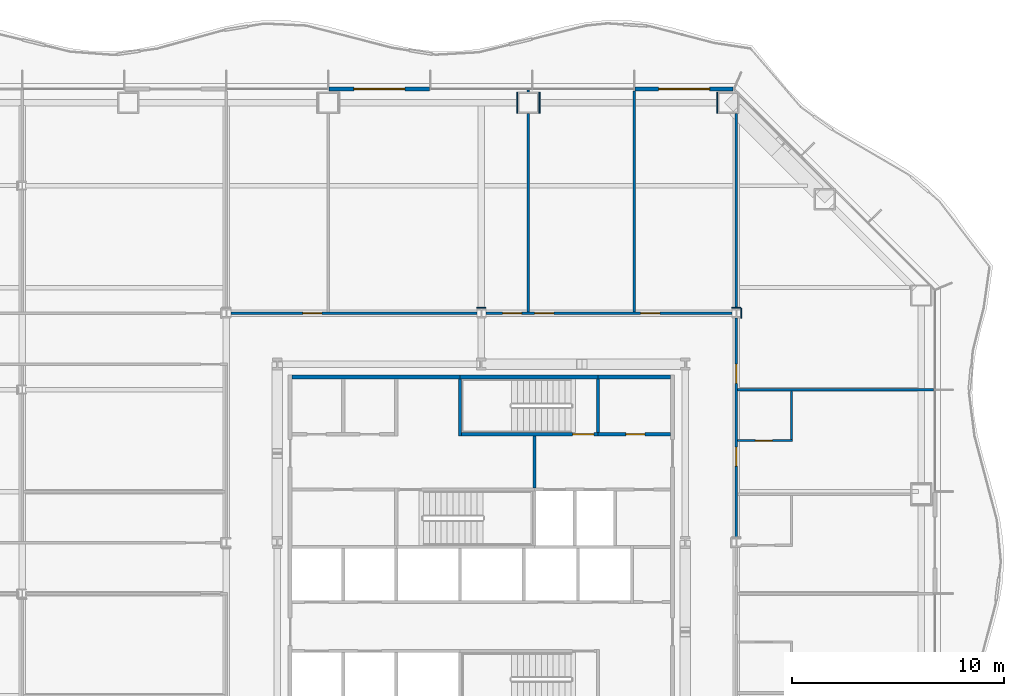
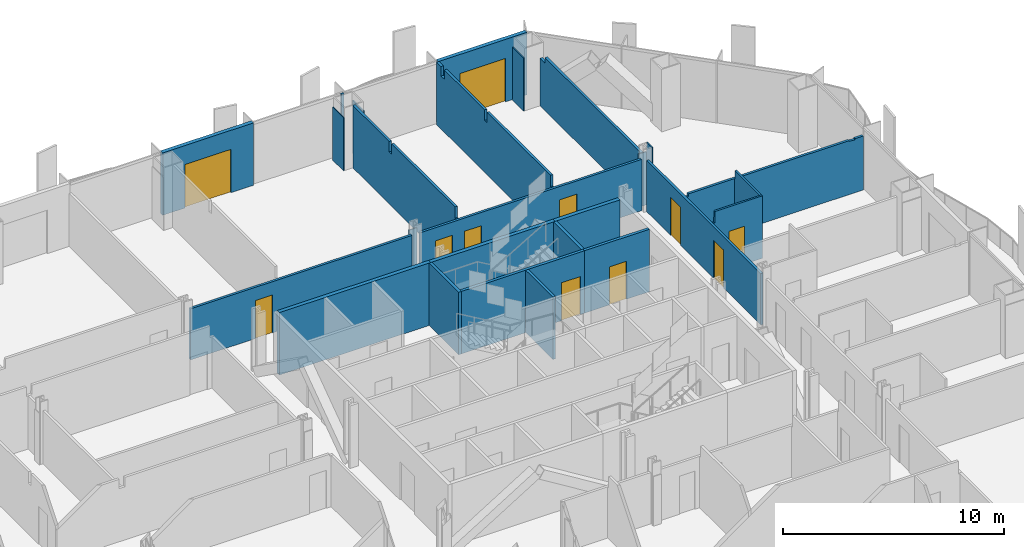
# One storey, part 13 of 21: 26 walls, 11 doors, 11 openings.
"""IFC4 building model written with IfcOpenShell, lengths in metres."""

from ifc_helpers import new_model, si_unit, direction, frame, frame_2d, origin, place, context, subcontext, project, spatial, polyline, rectangle, outline, extrude, material, layer, layer_set, type_object, element, fill, save


model = new_model("IFC4")

# Units and contexts
model_context = context("Model", 3, precision=1e-05, world=origin(), true_north=direction((0.0, 1.0)))
body_context = subcontext(model_context, "Body", "Model", "MODEL_VIEW")
ifc_project = project(units=[si_unit("LENGTHUNIT", "METRE"), si_unit("AREAUNIT", "SQUARE_METRE"), si_unit("VOLUMEUNIT", "CUBIC_METRE"), si_unit("PLANEANGLEUNIT", "RADIAN"), si_unit("MASSUNIT", "GRAM", prefix="KILO")], contexts=[model_context])

# Site, building, storey
site_placement = place(None, origin())
site = spatial("IfcSite", under=ifc_project, at=site_placement, CompositionType="ELEMENT")
building_placement = place(site_placement, origin())
building = spatial("IfcBuilding", under=site, at=building_placement, Name="Cairn Pilgrim Tower", CompositionType="ELEMENT")
storey_placement = place(building_placement, frame((0.0, 0.0, 43.800048828125)))
storey = spatial("IfcBuildingStorey", under=building, at=storey_placement, Name="L08", CompositionType="ELEMENT", Elevation=43.800048828125)

# Wall, opening, door
ifc_material_1 = material(Name="Bronze anodised aluminium insulated sandwich panel with mineral wool fill", Category="aluminium")
ifc_layer_1 = layer(ifc_material_1, 0.199951171875)
ifc_layer_set_1 = layer_set([ifc_layer_1], Name="BRONZE INFILL FRAME WALL 200")
wall_type_1 = type_object("IfcWallType", Name="BRONZE INFILL FRAME WALL 200", PredefinedType="NOTDEFINED", material=ifc_layer_set_1)
wall_1_placement = place(storey_placement, frame((19.056396484375, 23.75, 0.0), z_axis=(0.0, 0.0, 1.0), x_axis=(-1.0, 0.0, 0.0)))
wall_1 = element("IfcWall", 1, at=wall_1_placement, inside=storey, type_object=wall_type_1, Name="Bronze infill frame wall IW-N1", PredefinedType="NOTDEFINED", context=body_context, shape_type="SweptSolid", body=[
    extrude(rectangle(XDim=4.62646484375, YDim=0.199951171875, at=frame_2d((2.313232421875, 0.0))), origin(), (0.0, 0.0, 1.0), 3.449951171875),
])
opening_1_placement = place(wall_1_placement, frame((1.108154296875, 0.0, 0.0)))
opening_1 = element("IfcOpeningElement", 2, at=opening_1_placement, cuts=wall_1, Name="Opening 0820B", PredefinedType="OPENING", context=body_context, shape_type="SweptSolid", body=[
    extrude(rectangle(XDim=2.39990234375, YDim=2.39990234375, at=frame_2d((1.199951171875, 1.199951171875))), frame((0.0, 0.10986328125, 0.0), z_axis=(0.0, -1.0, 0.0), x_axis=(1.0, 0.0, 0.0)), (0.0, 0.0, 1.0), 0.219970703125),
])
ifc_material_2 = material(Name="Bronze anodised aluminium frame with tinted low-E glass", Category="aluminium")
door_type_1 = type_object("IfcDoorType", Name="BALCONY SLIDING DOOR 2400x2400", OperationType="DOUBLE_DOOR_SLIDING", PredefinedType="DOOR", material=ifc_material_2)
door_1_placement = place(opening_1_placement, origin())
door_1 = element("IfcDoor", 3, at=door_1_placement, inside=storey, type_object=door_type_1, Name="Balcony sliding door 0820B", OperationType="SINGLE_SWING_LEFT", OverallHeight=2.39990234375, OverallWidth=2.39990234375, PredefinedType="DOOR", context=body_context, shape_type="SweptSolid", body=[
    extrude(rectangle(XDim=2.39990234375, YDim=2.39990234375, at=frame_2d((1.199951171875, 1.199951171875))), frame((0.0, 0.02490234375, 0.0), z_axis=(0.0, -1.0, 0.0), x_axis=(1.0, 0.0, 0.0)), (0.0, 0.0, 1.0), 0.050048828125),
])
fill(opening_1, door_1)

wall_2_placement = place(storey_placement, frame((4.77001953125, 23.75, 0.0), z_axis=(0.0, 0.0, 1.0), x_axis=(-1.0, 0.0, 0.0)))
wall_2 = element("IfcWall", 4, at=wall_2_placement, inside=storey, type_object=wall_type_1, Name="Bronze infill frame wall IW-N4", PredefinedType="NOTDEFINED", context=body_context, shape_type="SweptSolid", body=[
    extrude(rectangle(XDim=4.739990234375, YDim=0.199951171875, at=frame_2d((2.3701171875, 0.0))), origin(), (0.0, 0.0, 1.0), 3.449951171875),
])
opening_2_placement = place(wall_2_placement, frame((1.169921875, 0.0, 0.0)))
opening_2 = element("IfcOpeningElement", 5, at=opening_2_placement, cuts=wall_2, Name="Opening 0818B", PredefinedType="OPENING", context=body_context, shape_type="SweptSolid", body=[
    extrude(rectangle(XDim=2.39990234375, YDim=2.39990234375, at=frame_2d((1.199951171875, 1.199951171875))), frame((0.0, 0.10986328125, 0.0), z_axis=(0.0, -1.0, 0.0), x_axis=(1.0, 0.0, 0.0)), (0.0, 0.0, 1.0), 0.219970703125),
])
door_2_placement = place(opening_2_placement, origin())
door_2 = element("IfcDoor", 6, at=door_2_placement, inside=storey, type_object=door_type_1, Name="Balcony sliding door 0818B", OperationType="SINGLE_SWING_LEFT", OverallHeight=2.39990234375, OverallWidth=2.39990234375, PredefinedType="DOOR", context=body_context, shape_type="SweptSolid", body=[
    extrude(rectangle(XDim=2.39990234375, YDim=2.39990234375, at=frame_2d((1.199951171875, 1.199951171875))), frame((0.0, 0.02490234375, 0.0), z_axis=(0.0, -1.0, 0.0), x_axis=(1.0, 0.0, 0.0)), (0.0, 0.0, 1.0), 0.050048828125),
])
fill(opening_2, door_2)

# Walls
ifc_material_3 = material(Name="Concrete C32/40", Category="concrete")
ifc_layer_2 = layer(ifc_material_3, 0.199951171875)
ifc_layer_set_2 = layer_set([ifc_layer_2], Name="CORE OUTER WALL 200 EI 120")
wall_type_2 = type_object("IfcWallType", Name="CORE OUTER WALL 200 EI 120", PredefinedType="SOLIDWALL", material=ifc_layer_set_2)
wall_3_placement = place(storey_placement, frame((-1.699951171875, 10.199951171875, 0.0), z_axis=(0.0, 0.0, 1.0), x_axis=(1.0, 0.0, 0.0)))
element("IfcWall", 7, at=wall_3_placement, inside=storey, type_object=wall_type_2, Name="CW:L08:H11-1", PredefinedType="SOLIDWALL", context=body_context, shape_type="SweptSolid", body=[
    extrude(rectangle(XDim=7.89990234375, YDim=0.199951171875, at=frame_2d((3.949951171875, 0.0))), origin(), (0.0, 0.0, 1.0), 3.449951171875),
])
wall_4_placement = place(storey_placement, frame((12.699951171875, 10.199951171875, 0.0), z_axis=(0.0, 0.0, 1.0), x_axis=(1.0, 0.0, 0.0)))
element("IfcWall", 8, at=wall_4_placement, inside=storey, type_object=wall_type_2, Name="CW:L08:H11-3", PredefinedType="SOLIDWALL", context=body_context, shape_type="SweptSolid", body=[
    extrude(rectangle(XDim=3.400146484375, YDim=0.199951171875, at=frame_2d((1.7001953125, 0.0))), origin(), (0.0, 0.0, 1.0), 3.449951171875),
])

# Wall, opening, door
ifc_layer_3 = layer(ifc_material_3, 0.14990234375)
ifc_layer_set_3 = layer_set([ifc_layer_3], Name="CORE SHAFT WALL 150 EI 120")
wall_type_3 = type_object("IfcWallType", Name="CORE SHAFT WALL 150 EI 120", PredefinedType="SOLIDWALL", material=ifc_layer_set_3)
wall_5_placement = place(storey_placement, frame((12.699951171875, 7.5, 0.0), z_axis=(0.0, 0.0, 1.0), x_axis=(1.0, 0.0, 0.0)))
wall_5 = element("IfcWall", 9, at=wall_5_placement, inside=storey, type_object=wall_type_3, Name="CW:L08:H10-2", PredefinedType="SOLIDWALL", context=body_context, shape_type="SweptSolid", body=[
    extrude(rectangle(XDim=3.400146484375, YDim=0.14990234375, at=frame_2d((1.7001953125, 0.0))), origin(), (0.0, 0.0, 1.0), 3.449951171875),
])
opening_3_placement = place(wall_5_placement, frame((1.300048828125, 0.0, 0.0)))
opening_3 = element("IfcOpeningElement", 10, at=opening_3_placement, cuts=wall_5, Name="Opening RD-R4E", PredefinedType="OPENING", context=body_context, shape_type="SweptSolid", body=[
    extrude(rectangle(XDim=0.89990234375, YDim=2.10009765625, at=frame_2d((0.449951171875, 1.050048828125))), frame((0.0, 0.0849609375, 0.0), z_axis=(0.0, -1.0, 0.0), x_axis=(1.0, 0.0, 0.0)), (0.0, 0.0, 1.0), 0.169921875),
])
ifc_material_4 = material(Name="Painted steel", Category="steel")
door_type_2 = type_object("IfcDoorType", Name="SERVICE ROOM DOOR 900x2100", OperationType="SINGLE_SWING_LEFT", PredefinedType="DOOR", material=ifc_material_4)
door_3_placement = place(opening_3_placement, origin())
door_3 = element("IfcDoor", 11, at=door_3_placement, inside=storey, type_object=door_type_2, Name="RD-R4E", OperationType="SINGLE_SWING_RIGHT", OverallHeight=2.10009765625, OverallWidth=0.89990234375, PredefinedType="DOOR", context=body_context, shape_type="SweptSolid", body=[
    extrude(rectangle(XDim=0.89990234375, YDim=2.10009765625, at=frame_2d((0.449951171875, 1.050048828125))), frame((0.0, 0.02490234375, 0.0), z_axis=(0.0, -1.0, 0.0), x_axis=(1.0, 0.0, 0.0)), (0.0, 0.0, 1.0), 0.050048828125),
])
fill(opening_3, door_3)

# Wall
wall_6_placement = place(storey_placement, frame((9.699951171875, 4.97509765625, 0.0), z_axis=(0.0, 0.0, 1.0), x_axis=(0.0, 1.0, 0.0)))
element("IfcWall", 12, at=wall_6_placement, inside=storey, type_object=wall_type_3, Name="CW:L08:V25", PredefinedType="SOLIDWALL", context=body_context, shape_type="SweptSolid", body=[
    extrude(rectangle(XDim=2.449951171875, YDim=0.14990234375, at=frame_2d((1.22509765625, 0.0))), origin(), (0.0, 0.0, 1.0), 3.449951171875),
])

# Wall, opening, door
ifc_material_5 = material(Name="Gypsum partition")
ifc_layer_4 = layer(ifc_material_5, 0.10009765625)
ifc_layer_set_4 = layer_set([ifc_layer_4], Name="PARTITION 100 DRYWALL")
wall_type_4 = type_object("IfcWallType", Name="PARTITION 100 DRYWALL", PredefinedType="PARTITIONING", material=ifc_layer_set_4)
wall_7_placement = place(storey_placement, frame((19.262451171875, 7.199951171875, 0.0), z_axis=(0.0, 0.0, 1.0), x_axis=(1.0, 0.0, 0.0)))
wall_7 = element("IfcWall", 13, at=wall_7_placement, inside=storey, type_object=wall_type_4, Name="PARTITION W069", PredefinedType="PARTITIONING", context=body_context, shape_type="SweptSolid", body=[
    extrude(outline(polyline([(0.0, 0.0), (2.587646484375, 0.0), (2.58740234375, 3.449951171875), (0.08740234375, 3.449951171875), (0.08544921875, 2.829833984375), (0.0, 2.829833984375), (0.0, 0.0)])), frame((0.0, 0.050048828125, 0.0), z_axis=(0.0, -1.0, 0.0), x_axis=(1.0, 0.0, 0.0)), (0.0, 0.0, 1.0), 0.10009765625),
])
opening_4_placement = place(wall_7_placement, frame((0.83740234375, 0.0, 0.0)))
opening_4 = element("IfcOpeningElement", 14, at=opening_4_placement, cuts=wall_7, Name="Opening 0825E", PredefinedType="OPENING", context=body_context, shape_type="SweptSolid", body=[
    extrude(rectangle(XDim=0.800048828125, YDim=2.10009765625, at=frame_2d((0.39990234375, 1.050048828125))), frame((0.0, 0.06005859375, 0.0), z_axis=(0.0, -1.0, 0.0), x_axis=(1.0, 0.0, 0.0)), (0.0, 0.0, 1.0), 0.1201171875),
])
ifc_material_6 = material(Name="Timber door leaf", Category="wood")
door_type_3 = type_object("IfcDoorType", Name="DOOR 800x2100", OperationType="NOTDEFINED", PredefinedType="DOOR", material=ifc_material_6)
door_4_placement = place(opening_4_placement, origin())
door_4 = element("IfcDoor", 15, at=door_4_placement, inside=storey, type_object=door_type_3, Name="DOOR 0825E", OperationType="SINGLE_SWING_RIGHT", OverallHeight=2.10009765625, OverallWidth=0.800048828125, PredefinedType="DOOR", context=body_context, shape_type="SweptSolid", body=[
    extrude(rectangle(XDim=0.800048828125, YDim=2.10009765625, at=frame_2d((0.39990234375, 1.050048828125))), frame((0.0, 0.02490234375, 0.0), z_axis=(0.0, -1.0, 0.0), x_axis=(1.0, 0.0, 0.0)), (0.0, 0.0, 1.0), 0.050048828125),
])
fill(opening_4, door_4)

# Wall
wall_8_placement = place(storey_placement, frame((21.800048828125, 7.25, 0.0), z_axis=(0.0, 0.0, 1.0), x_axis=(0.0, 1.0, 0.0)))
element("IfcWall", 16, at=wall_8_placement, inside=storey, type_object=wall_type_4, Name="PARTITION W070", PredefinedType="PARTITIONING", context=body_context, shape_type="SweptSolid", body=[
    extrude(outline(polyline([(0.0, 0.0), (2.28759765625, 0.0), (2.28759765625, 2.97998046875), (2.2548828125, 2.97998046875), (2.2529296875, 3.449951171875), (0.0, 3.449951171875), (0.0, 0.0)])), frame((0.0, 0.050048828125, 0.0), z_axis=(0.0, -1.0, 0.0), x_axis=(1.0, 0.0, 0.0)), (0.0, 0.0, 1.0), 0.10009765625),
])

# Wall, openings, doors
ifc_layer_5 = layer(ifc_material_5, 0.125)
ifc_layer_set_5 = layer_set([ifc_layer_5], Name="PARTITION 125 DRYWALL EI 60")
wall_type_5 = type_object("IfcWallType", Name="PARTITION 125 DRYWALL EI 60", PredefinedType="PARTITIONING", material=ifc_layer_set_5)
wall_9_placement = place(storey_placement, frame((19.199951171875, 2.636962890625, 0.0), z_axis=(0.0, 0.0, 1.0), x_axis=(0.0, 1.0, 0.0)))
wall_9 = element("IfcWall", 17, at=wall_9_placement, inside=storey, type_object=wall_type_5, Name="PARTITION W063", PredefinedType="PARTITIONING", context=body_context, shape_type="SweptSolid", body=[
    extrude(rectangle(XDim=10.325927734375, YDim=0.125, at=frame_2d((5.1630859375, 0.0))), origin(), (0.0, 0.0, 1.0), 2.829833984375),
])
opening_5_placement = place(wall_9_placement, frame((3.363037109375, 0.0, 0.0)))
opening_5 = element("IfcOpeningElement", 18, at=opening_5_placement, cuts=wall_9, Name="Opening 0825", PredefinedType="OPENING", context=body_context, shape_type="SweptSolid", body=[
    extrude(rectangle(XDim=0.89990234375, YDim=2.10009765625, at=frame_2d((0.449951171875, 1.050048828125))), frame((0.0, 0.072509765625, 0.0), z_axis=(0.0, -1.0, 0.0), x_axis=(1.0, 0.0, 0.0)), (0.0, 0.0, 1.0), 0.14501953125),
])
opening_6_placement = place(wall_9_placement, frame((7.262939453125, 0.0, 0.0)))
opening_6 = element("IfcOpeningElement", 19, at=opening_6_placement, cuts=wall_9, Name="Opening 0826", PredefinedType="OPENING", context=body_context, shape_type="SweptSolid", body=[
    extrude(rectangle(XDim=0.89990234375, YDim=2.10009765625, at=frame_2d((0.449951171875, 1.050048828125))), frame((0.0, 0.072509765625, 0.0), z_axis=(0.0, -1.0, 0.0), x_axis=(1.0, 0.0, 0.0)), (0.0, 0.0, 1.0), 0.14501953125),
])
ifc_material_7 = material(Name="Steel-faced fire door leaf", Category="steel")
door_type_4 = type_object("IfcDoorType", Name="FIRE DOOR 900x2100 FD30S", OperationType="NOTDEFINED", PredefinedType="DOOR", material=ifc_material_7)
door_5_placement = place(opening_5_placement, frame((0.89990234375, 0.0, 0.0), z_axis=(0.0, 0.0, 1.0), x_axis=(-1.0, 0.0, 0.0)))
door_5 = element("IfcDoor", 20, at=door_5_placement, inside=storey, type_object=door_type_4, Name="DOOR 0825", OperationType="SINGLE_SWING_LEFT", OverallHeight=2.10009765625, OverallWidth=0.89990234375, PredefinedType="DOOR", context=body_context, shape_type="SweptSolid", body=[
    extrude(rectangle(XDim=0.89990234375, YDim=2.10009765625, at=frame_2d((0.449951171875, 1.050048828125))), frame((0.0, 0.02490234375, 0.0), z_axis=(0.0, -1.0, 0.0), x_axis=(1.0, 0.0, 0.0)), (0.0, 0.0, 1.0), 0.050048828125),
])
fill(opening_5, door_5)
door_6_placement = place(opening_6_placement, frame((0.89990234375, 0.0, 0.0), z_axis=(0.0, 0.0, 1.0), x_axis=(-1.0, 0.0, 0.0)))
door_6 = element("IfcDoor", 21, at=door_6_placement, inside=storey, type_object=door_type_4, Name="DOOR 0826", OperationType="SINGLE_SWING_LEFT", OverallHeight=2.10009765625, OverallWidth=0.89990234375, PredefinedType="DOOR", context=body_context, shape_type="SweptSolid", body=[
    extrude(rectangle(XDim=0.89990234375, YDim=2.10009765625, at=frame_2d((0.449951171875, 1.050048828125))), frame((0.0, 0.02490234375, 0.0), z_axis=(0.0, -1.0, 0.0), x_axis=(1.0, 0.0, 0.0)), (0.0, 0.0, 1.0), 0.050048828125),
])
fill(opening_6, door_6)

# Wall
wall_10_placement = place(storey_placement, frame((19.262451171875, 9.60009765625, 0.0), z_axis=(0.0, 0.0, 1.0), x_axis=(1.0, 0.0, 0.0)))
element("IfcWall", 22, at=wall_10_placement, inside=storey, type_object=wall_type_5, Name="PARTITION W072", PredefinedType="PARTITIONING", context=body_context, shape_type="SweptSolid", body=[
    extrude(outline(polyline([(0.0, 0.0), (9.2275390625, 0.0), (9.2275390625, 2.97998046875), (8.78759765625, 2.97998046875), (8.785400390625, 2.929931640625), (8.487548828125, 2.929931640625), (8.485595703125, 2.97998046875), (0.08740234375, 2.97998046875), (0.08544921875, 2.829833984375), (0.0, 2.829833984375), (0.0, 0.0)])), frame((0.0, 0.0625, 0.0), z_axis=(0.0, -1.0, 0.0), x_axis=(1.0, 0.0, 0.0)), (0.0, 0.0, 1.0), 0.125),
])

# Wall, opening, door
wall_11_placement = place(storey_placement, frame((-4.587890625, 13.199951171875, 0.0), z_axis=(0.0, 0.0, 1.0), x_axis=(1.0, 0.0, 0.0)))
wall_11 = element("IfcWall", 23, at=wall_11_placement, inside=storey, type_object=wall_type_5, Name="PARTITION W076", PredefinedType="PARTITIONING", context=body_context, shape_type="SweptSolid", body=[
    extrude(rectangle(XDim=11.575927734375, YDim=0.125, at=frame_2d((5.7880859375, 0.0))), origin(), (0.0, 0.0, 1.0), 2.829833984375),
])
opening_7_placement = place(wall_11_placement, frame((3.387939453125, 0.0, 0.0)))
opening_7 = element("IfcOpeningElement", 24, at=opening_7_placement, cuts=wall_11, Name="Opening 0817", PredefinedType="OPENING", context=body_context, shape_type="SweptSolid", body=[
    extrude(rectangle(XDim=0.89990234375, YDim=2.10009765625, at=frame_2d((0.449951171875, 1.050048828125))), frame((0.0, 0.072509765625, 0.0), z_axis=(0.0, -1.0, 0.0), x_axis=(1.0, 0.0, 0.0)), (0.0, 0.0, 1.0), 0.14501953125),
])
door_7_placement = place(opening_7_placement, origin())
door_7 = element("IfcDoor", 25, at=door_7_placement, inside=storey, type_object=door_type_4, Name="DOOR 0817", OperationType="SINGLE_SWING_RIGHT", OverallHeight=2.10009765625, OverallWidth=0.89990234375, PredefinedType="DOOR", context=body_context, shape_type="SweptSolid", body=[
    extrude(rectangle(XDim=0.89990234375, YDim=2.10009765625, at=frame_2d((0.449951171875, 1.050048828125))), frame((0.0, 0.02490234375, 0.0), z_axis=(0.0, -1.0, 0.0), x_axis=(1.0, 0.0, 0.0)), (0.0, 0.0, 1.0), 0.050048828125),
])
fill(opening_7, door_7)

# Wall, openings, doors
wall_12_placement = place(storey_placement, frame((7.412109375, 13.199951171875, 0.0), z_axis=(0.0, 0.0, 1.0), x_axis=(1.0, 0.0, 0.0)))
wall_12 = element("IfcWall", 26, at=wall_12_placement, inside=storey, type_object=wall_type_5, Name="PARTITION W077", PredefinedType="PARTITIONING", context=body_context, shape_type="SweptSolid", body=[
    extrude(rectangle(XDim=11.575927734375, YDim=0.125, at=frame_2d((5.7880859375, 0.0))), origin(), (0.0, 0.0, 1.0), 2.829833984375),
])
opening_8_placement = place(wall_12_placement, frame((0.7880859375, 0.0, 0.0)))
opening_8 = element("IfcOpeningElement", 27, at=opening_8_placement, cuts=wall_12, Name="Opening 0818", PredefinedType="OPENING", context=body_context, shape_type="SweptSolid", body=[
    extrude(rectangle(XDim=0.89990234375, YDim=2.10009765625, at=frame_2d((0.449951171875, 1.050048828125))), frame((0.0, 0.072509765625, 0.0), z_axis=(0.0, -1.0, 0.0), x_axis=(1.0, 0.0, 0.0)), (0.0, 0.0, 1.0), 0.14501953125),
])
opening_9_placement = place(wall_12_placement, frame((2.302001953125, 0.0, 0.0)))
opening_9 = element("IfcOpeningElement", 28, at=opening_9_placement, cuts=wall_12, Name="Opening 0819", PredefinedType="OPENING", context=body_context, shape_type="SweptSolid", body=[
    extrude(rectangle(XDim=0.89990234375, YDim=2.10009765625, at=frame_2d((0.449951171875, 1.050048828125))), frame((0.0, 0.072509765625, 0.0), z_axis=(0.0, -1.0, 0.0), x_axis=(1.0, 0.0, 0.0)), (0.0, 0.0, 1.0), 0.14501953125),
])
opening_10_placement = place(wall_12_placement, frame((7.2880859375, 0.0, 0.0)))
opening_10 = element("IfcOpeningElement", 29, at=opening_10_placement, cuts=wall_12, Name="Opening 0820", PredefinedType="OPENING", context=body_context, shape_type="SweptSolid", body=[
    extrude(rectangle(XDim=0.89990234375, YDim=2.10009765625, at=frame_2d((0.449951171875, 1.050048828125))), frame((0.0, 0.072509765625, 0.0), z_axis=(0.0, -1.0, 0.0), x_axis=(1.0, 0.0, 0.0)), (0.0, 0.0, 1.0), 0.14501953125),
])
door_8_placement = place(opening_8_placement, origin())
door_8 = element("IfcDoor", 30, at=door_8_placement, inside=storey, type_object=door_type_4, Name="DOOR 0818", OperationType="SINGLE_SWING_LEFT", OverallHeight=2.10009765625, OverallWidth=0.89990234375, PredefinedType="DOOR", context=body_context, shape_type="SweptSolid", body=[
    extrude(rectangle(XDim=0.89990234375, YDim=2.10009765625, at=frame_2d((0.449951171875, 1.050048828125))), frame((0.0, 0.02490234375, 0.0), z_axis=(0.0, -1.0, 0.0), x_axis=(1.0, 0.0, 0.0)), (0.0, 0.0, 1.0), 0.050048828125),
])
fill(opening_8, door_8)
door_9_placement = place(opening_9_placement, origin())
door_9 = element("IfcDoor", 31, at=door_9_placement, inside=storey, type_object=door_type_4, Name="DOOR 0819", OperationType="SINGLE_SWING_RIGHT", OverallHeight=2.10009765625, OverallWidth=0.89990234375, PredefinedType="DOOR", context=body_context, shape_type="SweptSolid", body=[
    extrude(rectangle(XDim=0.89990234375, YDim=2.10009765625, at=frame_2d((0.449951171875, 1.050048828125))), frame((0.0, 0.02490234375, 0.0), z_axis=(0.0, -1.0, 0.0), x_axis=(1.0, 0.0, 0.0)), (0.0, 0.0, 1.0), 0.050048828125),
])
fill(opening_9, door_9)
door_10_placement = place(opening_10_placement, origin())
door_10 = element("IfcDoor", 32, at=door_10_placement, inside=storey, type_object=door_type_4, Name="DOOR 0820", OperationType="SINGLE_SWING_LEFT", OverallHeight=2.10009765625, OverallWidth=0.89990234375, PredefinedType="DOOR", context=body_context, shape_type="SweptSolid", body=[
    extrude(rectangle(XDim=0.89990234375, YDim=2.10009765625, at=frame_2d((0.449951171875, 1.050048828125))), frame((0.0, 0.02490234375, 0.0), z_axis=(0.0, -1.0, 0.0), x_axis=(1.0, 0.0, 0.0)), (0.0, 0.0, 1.0), 0.050048828125),
])
fill(opening_10, door_10)

# Walls
wall_13_placement = place(storey_placement, frame((9.4140625, 13.262451171875, 0.0), z_axis=(0.0, 0.0, 1.0), x_axis=(0.0, 1.0, 0.0)))
element("IfcWall", 33, at=wall_13_placement, inside=storey, type_object=wall_type_5, Name="PARTITION W081", PredefinedType="PARTITIONING", context=body_context, shape_type="SweptSolid", body=[
    extrude(outline(polyline([(0.0, 0.0), (9.337646484375, 0.0), (9.33740234375, 3.449951171875), (6.04248046875, 3.449951171875), (6.04052734375, 2.8798828125), (5.83251953125, 2.8798828125), (5.83056640625, 3.449951171875), (0.08740234375, 3.449951171875), (0.08544921875, 2.829833984375), (0.0, 2.829833984375), (0.0, 0.0)])), frame((0.0, 0.0625, 0.0), z_axis=(0.0, -1.0, 0.0), x_axis=(1.0, 0.0, 0.0)), (0.0, 0.0, 1.0), 0.125),
])
wall_14_placement = place(storey_placement, frame((14.39990234375, 13.262451171875, 0.0), z_axis=(0.0, 0.0, 1.0), x_axis=(0.0, 1.0, 0.0)))
element("IfcWall", 34, at=wall_14_placement, inside=storey, type_object=wall_type_5, Name="PARTITION W082", PredefinedType="PARTITIONING", context=body_context, shape_type="SweptSolid", body=[
    extrude(outline(polyline([(0.0, 0.0), (10.387451171875, 0.0), (10.387451171875, 3.449951171875), (9.987548828125, 3.449951171875), (9.985595703125, 2.929931640625), (9.6875, 2.929931640625), (9.685546875, 3.449951171875), (6.04248046875, 3.449951171875), (6.04052734375, 2.8798828125), (5.83251953125, 2.8798828125), (5.83056640625, 3.449951171875), (0.08740234375, 3.449951171875), (0.08544921875, 2.829833984375), (0.0, 2.829833984375), (0.0, 0.0)])), frame((0.0, 0.0625, 0.0), z_axis=(0.0, -1.0, 0.0), x_axis=(1.0, 0.0, 0.0)), (0.0, 0.0, 1.0), 0.125),
])
wall_15_placement = place(storey_placement, frame((19.199951171875, 13.43701171875, 0.0), z_axis=(0.0, 0.0, 1.0), x_axis=(0.0, 1.0, 0.0)))
element("IfcWall", 35, at=wall_15_placement, inside=storey, type_object=wall_type_5, Name="PARTITION W084", PredefinedType="PARTITIONING", context=body_context, shape_type="SweptSolid", body=[
    extrude(outline(polyline([(0.0, 0.0), (9.1630859375, 0.0), (9.1630859375, 2.6298828125), (8.732666015625, 2.6298828125), (8.730712890625, 2.929931640625), (0.0, 2.929931640625), (0.0, 0.0)])), frame((0.0, 0.0625, 0.0), z_axis=(0.0, -1.0, 0.0), x_axis=(1.0, 0.0, 0.0)), (0.0, 0.0, 1.0), 0.125),
])
wall_16_placement = place(storey_placement, frame((9.4140625, 23.60009765625, 0.0), z_axis=(0.0, 0.0, 1.0), x_axis=(0.0, 1.0, 0.0)))
element("IfcWall", 36, at=wall_16_placement, inside=storey, type_object=wall_type_5, Name="PARTITION W088", PredefinedType="PARTITIONING", context=body_context, shape_type="SweptSolid", body=[
    extrude(rectangle(XDim=0.102783203125, YDim=0.125, at=frame_2d((0.05126953125, 0.0))), origin(), (0.0, 0.0, 1.0), 3.449951171875),
])
ifc_layer_6 = layer(ifc_material_5, 0.050048828125)
ifc_layer_set_6 = layer_set([ifc_layer_6], Name="PARTITION 50 DRYWALL EI 60")
wall_type_6 = type_object("IfcWallType", Name="PARTITION 50 DRYWALL EI 60", PredefinedType="PARTITIONING", material=ifc_layer_set_6)
wall_17_placement = place(storey_placement, frame((19.43701171875, 12.962890625, 0.0), z_axis=(0.0, 0.0, 1.0), x_axis=(0.0, 1.0, 0.0)))
element("IfcWall", 37, at=wall_17_placement, inside=storey, type_object=wall_type_6, Name="COLUMN CASING WC11", PredefinedType="PARTITIONING", context=body_context, shape_type="SweptSolid", body=[
    extrude(rectangle(XDim=0.47412109375, YDim=0.050048828125, at=frame_2d((0.237060546875, 0.0))), origin(), (0.0, 0.0, 1.0), 3.449951171875),
])
for number, where, z_axis, x_axis, name in (
    (38, (6.988037109375, 13.4619140625, 0.0), (0.0, 0.0, 1.0), (1.0, 0.0, 0.0), "COLUMN CASING WC32"),
    (39, (18.988037109375, 13.4619140625, 0.0), (0.0, 0.0, 1.0), (1.0, 0.0, 0.0), "COLUMN CASING WC33"),
):
    element("IfcWall", number, at=place(storey_placement, frame(where, z_axis=z_axis, x_axis=x_axis)), inside=storey, type_object=wall_type_6, Name=name, PredefinedType="PARTITIONING", context=body_context, shape_type="SweptSolid", body=[
        extrude(rectangle(XDim=0.424072265625, YDim=0.050048828125, at=frame_2d((0.2119140625, 0.0))), origin(), (0.0, 0.0, 1.0), 2.929931640625),
    ])
for number, where, z_axis, x_axis, name in (
    (40, (18.30224609375, 22.60009765625, 0.0), (0.0, 0.0, 1.0), (0.0, 1.0, 0.0), "COLUMN CASING WC34"),
    (41, (8.888671875, 22.60009765625, 0.0), (0.0, 0.0, 1.0), (0.0, 1.0, 0.0), "COLUMN CASING WC39"),
    (42, (9.938720703125, 22.60009765625, 0.0), (0.0, 0.0, 1.0), (0.0, 1.0, 0.0), "COLUMN CASING WC40"),
):
    element("IfcWall", number, at=place(storey_placement, frame(where, z_axis=z_axis, x_axis=x_axis)), inside=storey, type_object=wall_type_6, Name=name, PredefinedType="PARTITIONING", context=body_context, shape_type="SweptSolid", body=[
        extrude(rectangle(XDim=1.0, YDim=0.050048828125, at=frame_2d((0.5, 0.0))), origin(), (0.0, 0.0, 1.0), 2.929931640625),
    ])

# Wall, opening, door
ifc_material_8 = material(Name="Concrete C35/45", Category="concrete")
ifc_layer_7 = layer(ifc_material_8, 0.14990234375)
ifc_layer_set_7 = layer_set([ifc_layer_7], Name="STAIR SHAFT WALL 150 EI 120")
wall_type_7 = type_object("IfcWallType", Name="STAIR SHAFT WALL 150 EI 120", PredefinedType="SOLIDWALL", material=ifc_layer_set_7)
wall_18_placement = place(storey_placement, frame((6.27490234375, 7.5, 0.0), z_axis=(0.0, 0.0, 1.0), x_axis=(1.0, 0.0, 0.0)))
wall_18 = element("IfcWall", 43, at=wall_18_placement, inside=storey, type_object=wall_type_7, Name="CW:L08:H10-1", PredefinedType="SOLIDWALL", context=body_context, shape_type="SweptSolid", body=[
    extrude(rectangle(XDim=6.425048828125, YDim=0.14990234375, at=frame_2d((3.21240234375, 0.0))), origin(), (0.0, 0.0, 1.0), 3.449951171875),
])
opening_11_placement = place(wall_18_placement, frame((5.22509765625, 0.0, 0.0)))
opening_11 = element("IfcOpeningElement", 44, at=opening_11_placement, cuts=wall_18, Name="Opening SD-C", PredefinedType="OPENING", context=body_context, shape_type="SweptSolid", body=[
    extrude(rectangle(XDim=1.0, YDim=2.10009765625, at=frame_2d((0.5, 1.050048828125))), frame((0.0, 0.0849609375, 0.0), z_axis=(0.0, -1.0, 0.0), x_axis=(1.0, 0.0, 0.0)), (0.0, 0.0, 1.0), 0.169921875),
])
door_type_5 = type_object("IfcDoorType", Name="STAIR DOOR FD60S 1000x2100", OperationType="SINGLE_SWING_LEFT", PredefinedType="DOOR", material=ifc_material_4)
door_11_placement = place(opening_11_placement, origin())
door_11 = element("IfcDoor", 45, at=door_11_placement, inside=storey, type_object=door_type_5, Name="SD-C", OperationType="SINGLE_SWING_LEFT", OverallHeight=2.10009765625, OverallWidth=1.0, PredefinedType="DOOR", context=body_context, shape_type="SweptSolid", body=[
    extrude(rectangle(XDim=1.0, YDim=2.10009765625, at=frame_2d((0.5, 1.050048828125))), frame((0.0, 0.02490234375, 0.0), z_axis=(0.0, -1.0, 0.0), x_axis=(1.0, 0.0, 0.0)), (0.0, 0.0, 1.0), 0.050048828125),
])
fill(opening_11, door_11)

# Walls
wall_19_placement = place(storey_placement, frame((6.199951171875, 7.425048828125, 0.0), z_axis=(0.0, 0.0, 1.0), x_axis=(0.0, 1.0, 0.0)))
element("IfcWall", 46, at=wall_19_placement, inside=storey, type_object=wall_type_7, Name="CW:L08:V22", PredefinedType="SOLIDWALL", context=body_context, shape_type="SweptSolid", body=[
    extrude(rectangle(XDim=2.675048828125, YDim=0.14990234375, at=frame_2d((1.33740234375, 0.0))), origin(), (0.0, 0.0, 1.0), 3.449951171875),
])
wall_20_placement = place(storey_placement, frame((12.699951171875, 7.574951171875, 0.0), z_axis=(0.0, 0.0, 1.0), x_axis=(0.0, 1.0, 0.0)))
element("IfcWall", 47, at=wall_20_placement, inside=storey, type_object=wall_type_7, Name="CW:L08:V29", PredefinedType="SOLIDWALL", context=body_context, shape_type="SweptSolid", body=[
    extrude(rectangle(XDim=2.525146484375, YDim=0.14990234375, at=frame_2d((1.2626953125, 0.0))), origin(), (0.0, 0.0, 1.0), 3.449951171875),
])
ifc_layer_8 = layer(ifc_material_8, 0.199951171875)
ifc_layer_set_8 = layer_set([ifc_layer_8], Name="STAIR SHAFT WALL 200 EI 120")
wall_type_8 = type_object("IfcWallType", Name="STAIR SHAFT WALL 200 EI 120", PredefinedType="SOLIDWALL", material=ifc_layer_set_8)
wall_21_placement = place(storey_placement, frame((6.199951171875, 10.199951171875, 0.0), z_axis=(0.0, 0.0, 1.0), x_axis=(1.0, 0.0, 0.0)))
element("IfcWall", 48, at=wall_21_placement, inside=storey, type_object=wall_type_8, Name="CW:L08:H11-2", PredefinedType="SOLIDWALL", context=body_context, shape_type="SweptSolid", body=[
    extrude(rectangle(XDim=6.5, YDim=0.199951171875, at=frame_2d((3.25, 0.0))), origin(), (0.0, 0.0, 1.0), 3.449951171875),
])

save(model, "model.ifc")
